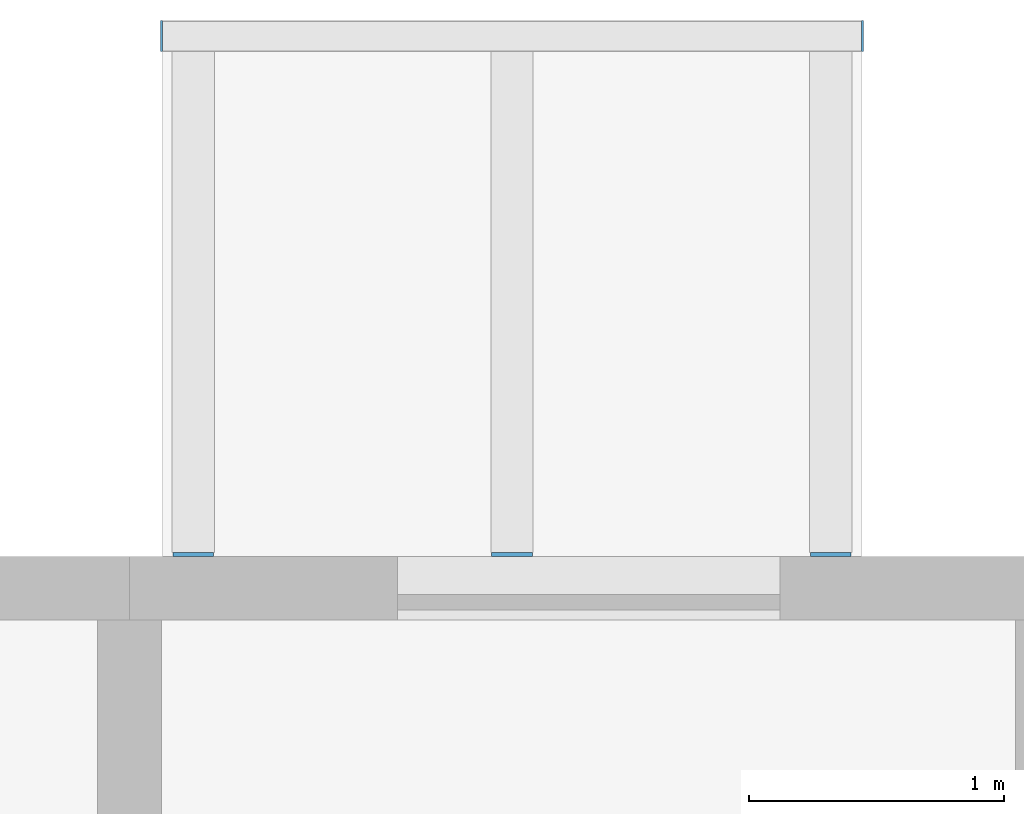
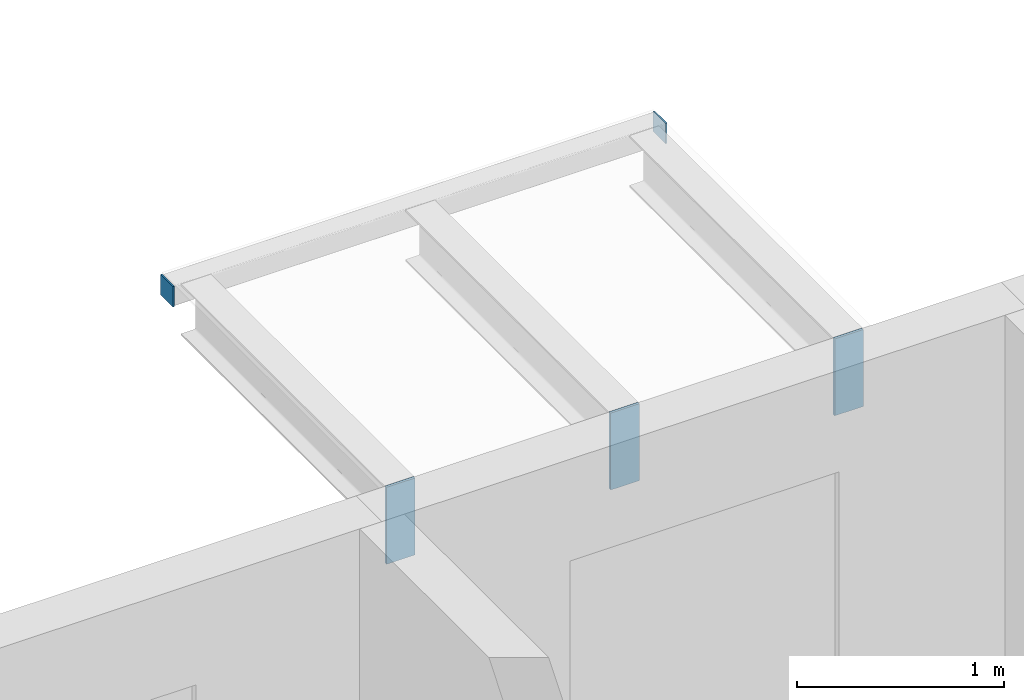
# One storey, part 91 of 115: 5 discrete accessories.
"""IFC4 building model written with IfcOpenShell, lengths in metres."""

from ifc_helpers import new_model, si_unit, direction, frame, origin, origin_2d, place, context, subcontext, project, spatial, rectangle, extrude, material, layer, layer_set, type_object, element, save


model = new_model("IFC4")

# Units and contexts
model_context = context("Model", 3, precision=1e-05, world=origin(), true_north=direction((0.0, 1.0)))
body_context = subcontext(model_context, "Body", "Model", "MODEL_VIEW")
ifc_project = project(units=[si_unit("LENGTHUNIT", "METRE"), si_unit("AREAUNIT", "SQUARE_METRE"), si_unit("VOLUMEUNIT", "CUBIC_METRE"), si_unit("PLANEANGLEUNIT", "RADIAN"), si_unit("MASSUNIT", "GRAM", prefix="KILO")], contexts=[model_context])

# Site, building, storey
site_placement = place(None, origin())
site = spatial("IfcSite", under=ifc_project, at=site_placement, CompositionType="ELEMENT")
building_placement = place(site_placement, origin())
building = spatial("IfcBuilding", under=site, at=building_placement, Name="Ridgestep Commons", CompositionType="ELEMENT")
storey_placement = place(building_placement, frame((0.0, 0.0, 6.0)))
storey = spatial("IfcBuildingStorey", under=building, at=storey_placement, Name="L02", CompositionType="ELEMENT", Elevation=6.0)

# Discrete accessories
ifc_material_1 = material(Name="Weathering steel S355J2W", Category="steel")
ifc_layer_1 = layer(ifc_material_1, 0.014892578125)
ifc_layer_set_1 = layer_set([ifc_layer_1], Name="Tray bracket plate 15")
discrete_accessory_type_1 = type_object("IfcDiscreteAccessoryType", Name="Tray bracket plate 15", PredefinedType="BRACKET", material=ifc_layer_set_1)
for number, where, z_axis, x_axis, name in (
    (1, (217.85009765625, 77.257568359375, 2.53662109375), (0.0, 0.0, 1.0), (1.0, 0.0, 0.0), "Tray bracket C5T2-03.1"),
    (2, (219.10009765625, 77.257568359375, 2.53662109375), (0.0, 0.0, 1.0), (1.0, 0.0, 0.0), "Tray bracket C5T2-03.2"),
    (3, (220.35009765625, 77.257568359375, 2.53662109375), (0.0, 0.0, 1.0), (1.0, 0.0, 0.0), "Tray bracket C5T2-03.3"),
):
    element("IfcDiscreteAccessory", number, at=place(storey_placement, frame(where, z_axis=z_axis, x_axis=x_axis)), inside=storey, type_object=discrete_accessory_type_1, Name=name, PredefinedType="BRACKET", context=body_context, shape_type="SweptSolid", body=[
        extrude(rectangle(XDim=0.159912109375, YDim=0.014892578125, at=origin_2d()), origin(), (0.0, 0.0, 1.0), 0.453369140625),
    ])
ifc_material_2 = material(Name="Weathering steel S355J2W", Category="steel")
ifc_layer_2 = layer(ifc_material_2, 0.008056640625)
ifc_layer_set_2 = layer_set([ifc_layer_2], Name="Tray edge member end plate 120 x 120 x 8")
discrete_accessory_type_2 = type_object("IfcDiscreteAccessoryType", Name="Tray edge member end plate 120 x 120 x 8", PredefinedType="BRACKET", material=ifc_layer_set_2)
for number, where, z_axis, x_axis, name in (
    (4, (217.72607421875, 79.2900390625, 2.869873046875), (0.0, 0.0, 1.0), (1.0, 0.0, 0.0), "Tray edge member end plate C5T2-03 west"),
    (5, (220.47412109375, 79.2900390625, 2.869873046875), (0.0, 0.0, 1.0), (1.0, 0.0, 0.0), "Tray edge member end plate C5T2-03 east"),
):
    element("IfcDiscreteAccessory", number, at=place(storey_placement, frame(where, z_axis=z_axis, x_axis=x_axis)), inside=storey, type_object=discrete_accessory_type_2, Name=name, PredefinedType="BRACKET", context=body_context, shape_type="SweptSolid", body=[
        extrude(rectangle(XDim=0.008056640625, YDim=0.1201171875, at=origin_2d()), origin(), (0.0, 0.0, 1.0), 0.1201171875),
    ])

save(model, "model.ifc")
